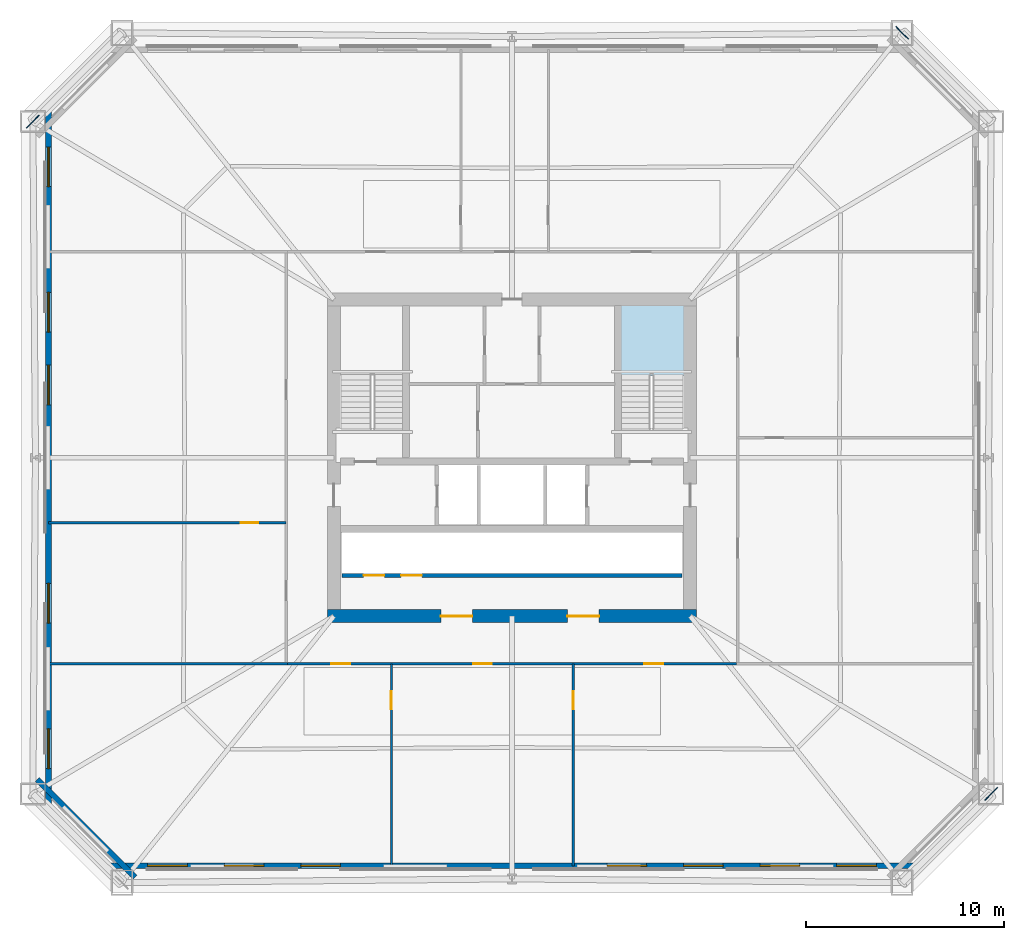
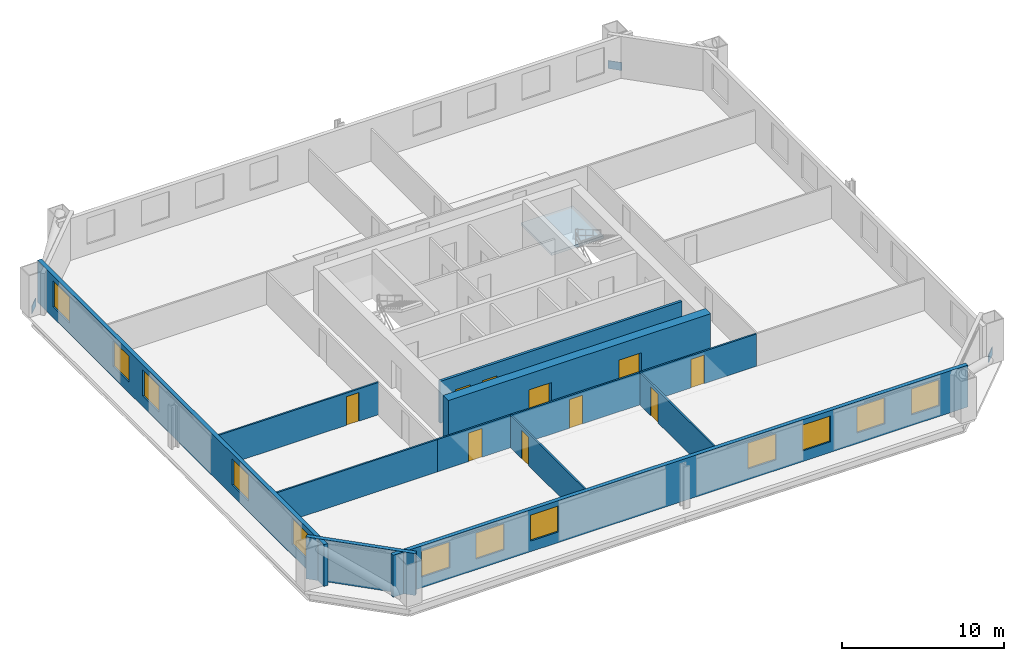
# One storey, part 2 of 7: 12 windows, 10 doors, 10 walls, 3 plates, 1 slab, 22 openings, 1 element without a shape of its own.
"""IFC4 building model written with IfcOpenShell, lengths in metres."""

import ifcopenshell
import ifcopenshell.guid

model = None  # the IFC model being written
_history = None  # IfcOwnerHistory: only IFC2X3 demands one
_inside = {}  # id of a spatial element -> (the spatial element, [elements in it])
_under = {}  # id of a project, library or spatial element -> (it, [spatial elements below it])
_declared = {}  # id of a project -> (the project, [libraries it declares])
_typed = {}  # id of a type object -> (the type object, [elements of that type])
_made_of = {}  # id of a material, layer set ... -> (it, [elements and type objects made of it])


def new_model(schema):
    """Start an empty IFC model of exactly this schema.

    Asked for "IFC4X3", IfcOpenShell would pick the latest addendum, in which some entities
    have other attributes; the version numbers below select the first issue.
    IFC2X3 requires an IfcOwnerHistory on every rooted entity: one is made here for all.
    """
    global model, _history
    if schema == "IFC4X3":
        model = ifcopenshell.file(schema_version=(4, 3, 0, 0))
    else:
        model = ifcopenshell.file(schema=schema)
    _inside.clear()
    _under.clear()
    _declared.clear()
    _typed.clear()
    _made_of.clear()
    _history = None
    if model.schema == "IFC2X3":
        org = make("IfcOrganization", Name="unknown")
        user = make(
            "IfcPersonAndOrganization",
            ThePerson=make("IfcPerson", FamilyName="unknown"),
            TheOrganization=org,
        )
        app = make(
            "IfcApplication",
            ApplicationDeveloper=org,
            Version="unknown",
            ApplicationFullName="unknown",
            ApplicationIdentifier="unknown",
        )
        _history = make(
            "IfcOwnerHistory",
            OwningUser=user,
            OwningApplication=app,
            ChangeAction="ADDED",
            CreationDate=0,
        )
    return model


def make(cls, **values):
    """One entity of the class cls with the attributes given. An attribute that is None is left unset."""
    return model.create_entity(
        cls, **{name: value for name, value in values.items() if value is not None}
    )


def rooted(cls, **values):
    """An entity with a GlobalId (a new one), such as an element, a storey or a relation."""
    return make(cls, GlobalId=ifcopenshell.guid.new(), OwnerHistory=_history, **values)


def si_unit(unit_type, name, prefix=None):
    """IfcSIUnit, for example si_unit("LENGTHUNIT", "METRE", prefix="MILLI")."""
    return make("IfcSIUnit", UnitType=unit_type, Prefix=prefix, Name=name)


def assignment(units):
    """IfcUnitAssignment: the units of a project."""
    return None if units is None else make("IfcUnitAssignment", Units=units)


def point(xyz):
    """IfcCartesianPoint."""
    return None if xyz is None else make("IfcCartesianPoint", Coordinates=xyz)


def direction(xyz):
    """IfcDirection."""
    return None if xyz is None else make("IfcDirection", DirectionRatios=xyz)


def frame(location, z_axis=None, x_axis=None):
    """IfcAxis2Placement3D, a coordinate frame: its origin and axes. An axis left out is left unset."""
    return make(
        "IfcAxis2Placement3D",
        Location=point(location),
        Axis=direction(z_axis),
        RefDirection=direction(x_axis),
    )


def frame_2d(location, x_axis=None):
    """IfcAxis2Placement2D, a coordinate frame in the plane: its origin and x axis."""
    return make(
        "IfcAxis2Placement2D", Location=point(location), RefDirection=direction(x_axis)
    )


def origin():
    """The frame at (0, 0, 0) with its axes left unset."""
    return frame((0.0, 0.0, 0.0))


def origin_2d():
    """The frame at (0, 0) in the plane with its x axis left unset."""
    return frame_2d((0.0, 0.0))


def place(relative_to, where):
    """IfcLocalPlacement: puts the frame where relative to a parent placement (None: the world)."""
    return make(
        "IfcLocalPlacement", PlacementRelTo=relative_to, RelativePlacement=where
    )


def context(
    kind, dimensions, precision=None, world=None, true_north=None, identifier=None
):
    """IfcGeometricRepresentationContext, for example the 3D "Model" context."""
    return make(
        "IfcGeometricRepresentationContext",
        ContextIdentifier=identifier,
        ContextType=kind,
        CoordinateSpaceDimension=dimensions,
        Precision=precision,
        WorldCoordinateSystem=world,
        TrueNorth=true_north,
    )


def subcontext(parent, identifier, kind, view, scale=None):
    """IfcGeometricRepresentationSubContext, for example "Body" below "Model"."""
    return make(
        "IfcGeometricRepresentationSubContext",
        ContextIdentifier=identifier,
        ContextType=kind,
        ParentContext=parent,
        TargetScale=scale,
        TargetView=view,
    )


def project(units=None, contexts=None):
    """IfcProject with its units and contexts."""
    return rooted(
        "IfcProject",
        Name="project",
        RepresentationContexts=contexts,
        UnitsInContext=assignment(units),
    )


def spatial(cls, under=None, at=None, **own):
    """A site, building, storey or space (cls), placed at a placement, below another one or the project."""
    s = rooted(cls, ObjectPlacement=at, **own)
    if under is not None:
        _under.setdefault(under.id(), (under, []))[1].append(s)
    return s


def polyline(points):
    """IfcPolyline through the points."""
    return make("IfcPolyline", Points=[point(p) for p in points])


def profile(cls, at=None, kind="AREA", **sizes):
    """A parametric profile (cls). Its sizes go by their IFC names, for example OverallWidth=200.0."""
    return make(cls, ProfileType=kind, Position=at, **sizes)


def rectangle(**sizes):
    """IfcRectangleProfileDef."""
    return profile("IfcRectangleProfileDef", **sizes)


def outline(outer, holes=None, kind="AREA"):
    """IfcArbitraryClosedProfileDef: a profile drawn as a closed curve; with holes, ...WithVoids."""
    if holes is None:
        return make("IfcArbitraryClosedProfileDef", ProfileType=kind, OuterCurve=outer)
    return make(
        "IfcArbitraryProfileDefWithVoids",
        ProfileType=kind,
        OuterCurve=outer,
        InnerCurves=holes,
    )


def extrude(swept, where, along, depth):
    """IfcExtrudedAreaSolid: the profile swept, set in the frame where, extruded along a direction by depth."""
    return make(
        "IfcExtrudedAreaSolid",
        SweptArea=swept,
        Position=where,
        ExtrudedDirection=direction(along),
        Depth=depth,
    )


def shape(context_of_items, identifier, shape_type, items):
    """IfcShapeRepresentation: the items that make up one representation, for example the "Body"."""
    return make(
        "IfcShapeRepresentation",
        ContextOfItems=context_of_items,
        RepresentationIdentifier=identifier,
        RepresentationType=shape_type,
        Items=items,
    )


def material(Name=None, Category=None):
    """IfcMaterial."""
    return make("IfcMaterial", Name=Name, Category=Category)


def layer(
    of_material, thickness, ventilated=None, Name=None, Category=None, Priority=None
):
    """IfcMaterialLayer: one layer of a wall or slab, of a material (None: an air gap)."""
    return make(
        "IfcMaterialLayer",
        Material=of_material,
        LayerThickness=thickness,
        IsVentilated=ventilated,
        Name=Name,
        Category=Category,
        Priority=Priority,
    )


def layer_set(layers, Name=None):
    """IfcMaterialLayerSet."""
    return make("IfcMaterialLayerSet", MaterialLayers=layers, LayerSetName=Name)


def made_of(thing, what):
    """Note that an element or type object is made of a material, layer set ...; save() writes the relation."""
    if what is not None:
        _made_of.setdefault(what.id(), (what, []))[1].append(thing)
    return thing


def type_object(cls, material=None, **own):
    """A type object (cls), such as IfcWallType, which elements share."""
    return made_of(rooted(cls, **own), material)


def element(
    cls,
    number,
    at=None,
    inside=None,
    cuts=None,
    type_object=None,
    material=None,
    context=None,
    identifier="Body",
    shape_type=None,
    held_by="IfcProductDefinitionShape",
    body=None,
    shapes=None,
    **own,
):
    """One element of the class cls, such as IfcWall. Its Tag is "e" and its number.

    at: its placement. inside: the storey or other place that contains it. cuts: it is an
    opening in that element (IfcRelVoidsElement). A single representation is given by context,
    identifier, shape_type and body (its items); several are given by shapes. held_by: the class
    of the entity that holds the representations. save() writes the other relations.
    """
    e = rooted(cls, Tag="e%d" % number, ObjectPlacement=at, **own)
    if body is not None:
        shapes = [shape(context, identifier, shape_type, body)]
    if shapes is not None:
        e.Representation = make(held_by, Representations=shapes)
    if inside is not None:
        _inside.setdefault(inside.id(), (inside, []))[1].append(e)
    if cuts is not None:
        rooted(
            "IfcRelVoidsElement", RelatingBuildingElement=cuts, RelatedOpeningElement=e
        )
    if type_object is not None:
        _typed.setdefault(type_object.id(), (type_object, []))[1].append(e)
    return made_of(e, material)


def fill(opening, filler):
    """IfcRelFillsElement: the door or window that sits in an opening."""
    return rooted(
        "IfcRelFillsElement",
        RelatingOpeningElement=opening,
        RelatedBuildingElement=filler,
    )


def aggregate(whole, parts):
    """IfcRelAggregates: a whole, such as a stair, and the parts it consists of."""
    return rooted("IfcRelAggregates", RelatingObject=whole, RelatedObjects=parts)


def save(model, path):
    """Write the relations noted so far, then the file.

    IfcRelAggregates (storeys below a building ...), IfcRelContainedInSpatialStructure (elements
    in a storey), IfcRelDefinesByType, IfcRelAssociatesMaterial and IfcRelDeclares: one each for
    every whole, place, type object, material and project.
    """
    for whole, parts in _under.values():
        aggregate(whole, parts)
    for where, things in _inside.values():
        rooted(
            "IfcRelContainedInSpatialStructure",
            RelatedElements=things,
            RelatingStructure=where,
        )
    for kind, things in _typed.values():
        rooted("IfcRelDefinesByType", RelatedObjects=things, RelatingType=kind)
    for what, things in _made_of.values():
        rooted("IfcRelAssociatesMaterial", RelatedObjects=things, RelatingMaterial=what)
    for by, libraries in _declared.values():
        rooted("IfcRelDeclares", RelatingContext=by, RelatedDefinitions=libraries)
    model.write(path)


model = new_model("IFC4")

# Units and contexts
model_context = context("Model", 3, precision=1e-05, world=origin(), true_north=direction((0.0, 1.0)))
body_context = subcontext(model_context, "Body", "Model", "MODEL_VIEW")
ifc_project = project(units=[si_unit("LENGTHUNIT", "METRE"), si_unit("AREAUNIT", "SQUARE_METRE"), si_unit("VOLUMEUNIT", "CUBIC_METRE"), si_unit("PLANEANGLEUNIT", "RADIAN"), si_unit("MASSUNIT", "GRAM", prefix="KILO")], contexts=[model_context])

# Site, building, storey
site_placement = place(None, origin())
site = spatial("IfcSite", under=ifc_project, at=site_placement, CompositionType="ELEMENT")
building_placement = place(site_placement, origin())
building = spatial("IfcBuilding", under=site, at=building_placement, Name="Caelvoria Tower", CompositionType="ELEMENT")
storey_placement = place(building_placement, frame((0.0, 0.0, 31.60009765625)))
storey = spatial("IfcBuildingStorey", under=building, at=storey_placement, Name="L07", CompositionType="ELEMENT", Elevation=31.60009765625)

# Plates
ifc_material_1 = material(Name="Structural Steel ASTM A572 Gr.50", Category="steel")
ifc_layer_1 = layer(ifc_material_1, 0.0400390625, Name="Structural Steel ASTM A572 Gr.50")
ifc_layer_set_1 = layer_set([ifc_layer_1], Name="Megaframe Node Gusset Plate 900x600x40 - Structural Steel ASTM A572 Gr.50")
plate_type = type_object("IfcPlateType", Name="Megaframe Node Gusset Plate 900x600x40", PredefinedType="USERDEFINED", material=ifc_layer_set_1)
for number, where, z_axis, x_axis, name in (
    (1, (70.210693359375, 15.013427734375, 0.019775390625), (0.0, 0.0, 1.0), (-0.708247433284, -0.705964286099, 0.0), "Chamfer Mega Brace Gusset L07 SE"),
    (2, (65.712890625, 53.469482421875, 0.019775390625), (0.0, 0.0, 1.0), (0.708247433284, -0.705964286099, 0.0), "Chamfer Mega Brace Gusset L07 NE"),
    (3, (21.789306640625, 48.986572265625, 0.019775390625), (0.0, 0.0, 1.0), (0.708247433284, 0.705964286099, 0.0), "Chamfer Mega Brace Gusset L07 NW"),
):
    element("IfcPlate", number, at=place(storey_placement, frame(where, z_axis=z_axis, x_axis=x_axis)), inside=storey, type_object=plate_type, Name=name, ObjectType="GUSSET_PLATE", PredefinedType="USERDEFINED", context=body_context, shape_type="SweptSolid", body=[
        extrude(rectangle(XDim=0.89990234375, YDim=0.0400390625, at=origin_2d()), origin(), (0.0, 0.0, 1.0), 0.60009765625),
    ])

# Stair, slab
ifc_material_2 = material(Name="Concrete C40/50", Category="concrete")
stair_type = type_object("IfcStairType", Name="Core Smokeproof Dogleg Stair Concrete C40/50", PredefinedType="HALF_TURN_STAIR", material=ifc_material_2)
stair_placement = place(storey_placement, origin())
stair = element("IfcStair", 4, at=stair_placement, inside=storey, type_object=stair_type, Name="ST-02 Smokeproof Exit Stair L07", PredefinedType="HALF_TURN_STAIR")
ifc_layer_2 = layer(ifc_material_2, 0.199951171875, Name="Concrete C40/50")
ifc_layer_set_2 = layer_set([ifc_layer_2], Name="Stair Half and Floor Landing Slab 200 Concrete C40/50 - Concrete C40/50")
slab_type = type_object("IfcSlabType", Name="Stair Half and Floor Landing Slab 200 Concrete C40/50", PredefinedType="LANDING", material=ifc_layer_set_2)
slab_placement = place(storey_placement, frame((0.0, 0.0, 1.599853515625)))
slab = element("IfcSlab", 5, at=slab_placement, type_object=slab_type, Name="ST-02 landing 2", PredefinedType="LANDING", context=body_context, shape_type="SweptSolid", body=[
    extrude(outline(polyline([(51.199951171875, 36.14990234375), (54.89990234375, 36.14990234375), (54.89990234375, 39.89990234375), (51.199951171875, 39.89990234375), (51.199951171875, 36.14990234375)])), origin(), (0.0, 0.0, 1.0), 0.199951171875),
])
aggregate(stair, [slab])

# Wall, openings, windows
ifc_material_3 = material(Name="Precast Concrete C40/50 with Bronze Cladding", Category="concrete")
ifc_layer_3 = layer(ifc_material_3, 0.280029296875, Name="Precast Concrete C40/50 with Bronze Cladding")
ifc_layer_set_3 = layer_set([ifc_layer_3], Name="Exterior Precast Concrete C40/50 Bronze-Clad Facade Wall 280 - Precast Concrete C40/50 with Bronze Cladding")
wall_type_1 = type_object("IfcWallType", Name="Exterior Precast Concrete C40/50 Bronze-Clad Facade Wall 280", PredefinedType="STANDARD", material=ifc_layer_set_3)
wall_1_placement = place(storey_placement, frame((25.56005859375, 11.3798828125, 0.0), z_axis=(0.0, 0.0, 1.0), x_axis=(1.0, 0.0, 0.0)))
wall_1 = element("IfcWall", 6, at=wall_1_placement, inside=storey, type_object=wall_type_1, Name="Exterior Facade Wall L07-E0", PredefinedType="STANDARD", context=body_context, shape_type="SweptSolid", body=[
    extrude(rectangle(XDim=40.8798828125, YDim=0.280029296875, at=frame_2d((20.43994140625, 0.0))), origin(), (0.0, 0.0, 1.0), 3.14990234375),
])
opening_1_placement = place(wall_1_placement, frame((2.033935546875, 0.0, 0.800048828125)))
opening_1 = element("IfcOpeningElement", 7, at=opening_1_placement, cuts=wall_1, Name="Opening WN-01", PredefinedType="OPENING", context=body_context, shape_type="SweptSolid", body=[
    extrude(rectangle(XDim=2.0, YDim=1.949951171875, at=frame_2d((1.0, 0.97509765625))), frame((0.0, 0.14990234375, 0.0), z_axis=(0.0, -1.0, 0.0), x_axis=(1.0, 0.0, 0.0)), (0.0, 0.0, 1.0), 0.300048828125),
])
opening_2_placement = place(wall_1_placement, frame((5.902099609375, 0.0, 0.800048828125)))
opening_2 = element("IfcOpeningElement", 8, at=opening_2_placement, cuts=wall_1, Name="Opening WN-01", PredefinedType="OPENING", context=body_context, shape_type="SweptSolid", body=[
    extrude(rectangle(XDim=2.0, YDim=1.949951171875, at=frame_2d((1.0, 0.97509765625))), frame((0.0, 0.14990234375, 0.0), z_axis=(0.0, -1.0, 0.0), x_axis=(1.0, 0.0, 0.0)), (0.0, 0.0, 1.0), 0.300048828125),
])
opening_3_placement = place(wall_1_placement, frame((9.77001953125, 0.0, 0.800048828125)))
opening_3 = element("IfcOpeningElement", 9, at=opening_3_placement, cuts=wall_1, Name="Opening WN-01", PredefinedType="OPENING", context=body_context, shape_type="SweptSolid", body=[
    extrude(rectangle(XDim=2.0, YDim=1.949951171875, at=frame_2d((1.0, 0.97509765625))), frame((0.0, 0.14990234375, 0.0), z_axis=(0.0, -1.0, 0.0), x_axis=(1.0, 0.0, 0.0)), (0.0, 0.0, 1.0), 0.300048828125),
])
opening_4_placement = place(wall_1_placement, frame((25.241943359375, 0.0, 0.800048828125)))
opening_4 = element("IfcOpeningElement", 10, at=opening_4_placement, cuts=wall_1, Name="Opening WN-01", PredefinedType="OPENING", context=body_context, shape_type="SweptSolid", body=[
    extrude(rectangle(XDim=2.0, YDim=1.949951171875, at=frame_2d((1.0, 0.97509765625))), frame((0.0, 0.14990234375, 0.0), z_axis=(0.0, -1.0, 0.0), x_axis=(1.0, 0.0, 0.0)), (0.0, 0.0, 1.0), 0.300048828125),
])
opening_5_placement = place(wall_1_placement, frame((29.110107421875, 0.0, 0.800048828125)))
opening_5 = element("IfcOpeningElement", 11, at=opening_5_placement, cuts=wall_1, Name="Opening WN-01", PredefinedType="OPENING", context=body_context, shape_type="SweptSolid", body=[
    extrude(rectangle(XDim=2.0, YDim=1.949951171875, at=frame_2d((1.0, 0.97509765625))), frame((0.0, 0.14990234375, 0.0), z_axis=(0.0, -1.0, 0.0), x_axis=(1.0, 0.0, 0.0)), (0.0, 0.0, 1.0), 0.300048828125),
])
opening_6_placement = place(wall_1_placement, frame((32.97802734375, 0.0, 0.800048828125)))
opening_6 = element("IfcOpeningElement", 12, at=opening_6_placement, cuts=wall_1, Name="Opening WN-01", PredefinedType="OPENING", context=body_context, shape_type="SweptSolid", body=[
    extrude(rectangle(XDim=2.0, YDim=1.949951171875, at=frame_2d((1.0, 0.97509765625))), frame((0.0, 0.14990234375, 0.0), z_axis=(0.0, -1.0, 0.0), x_axis=(1.0, 0.0, 0.0)), (0.0, 0.0, 1.0), 0.300048828125),
])
opening_7_placement = place(wall_1_placement, frame((36.845947265625, 0.0, 0.800048828125)))
opening_7 = element("IfcOpeningElement", 13, at=opening_7_placement, cuts=wall_1, Name="Opening WN-01", PredefinedType="OPENING", context=body_context, shape_type="SweptSolid", body=[
    extrude(rectangle(XDim=2.0, YDim=1.949951171875, at=frame_2d((1.0, 0.97509765625))), frame((0.0, 0.14990234375, 0.0), z_axis=(0.0, -1.0, 0.0), x_axis=(1.0, 0.0, 0.0)), (0.0, 0.0, 1.0), 0.300048828125),
])
ifc_material_4 = material(Name="Low-E Tinted Glass in Bronze Aluminium Frame", Category="aluminium")
window_type = type_object("IfcWindowType", Name="Tower Office Vision Window 2000x1950", PartitioningType="SINGLE_PANEL", PredefinedType="WINDOW", material=ifc_material_4)
window_1_placement = place(opening_1_placement, origin())
window_1 = element("IfcWindow", 14, at=window_1_placement, inside=storey, type_object=window_type, Name="Facade Window L07-E0-00", OverallHeight=1.949951171875, OverallWidth=2.0, PartitioningType="SINGLE_PANEL", PredefinedType="WINDOW", context=body_context, shape_type="SweptSolid", body=[
    extrude(rectangle(XDim=2.0, YDim=1.949951171875, at=frame_2d((1.0, 0.97509765625))), frame((0.0, 0.030029296875, 0.0), z_axis=(0.0, -1.0, 0.0), x_axis=(1.0, 0.0, 0.0)), (0.0, 0.0, 1.0), 0.06005859375),
])
fill(opening_1, window_1)
window_2_placement = place(opening_2_placement, origin())
window_2 = element("IfcWindow", 15, at=window_2_placement, inside=storey, type_object=window_type, Name="Facade Window L07-E0-01", OverallHeight=1.949951171875, OverallWidth=2.0, PartitioningType="SINGLE_PANEL", PredefinedType="WINDOW", context=body_context, shape_type="SweptSolid", body=[
    extrude(rectangle(XDim=2.0, YDim=1.949951171875, at=frame_2d((1.0, 0.97509765625))), frame((0.0, 0.030029296875, 0.0), z_axis=(0.0, -1.0, 0.0), x_axis=(1.0, 0.0, 0.0)), (0.0, 0.0, 1.0), 0.06005859375),
])
fill(opening_2, window_2)
window_3_placement = place(opening_3_placement, origin())
window_3 = element("IfcWindow", 16, at=window_3_placement, inside=storey, type_object=window_type, Name="Facade Window L07-E0-02", OverallHeight=1.949951171875, OverallWidth=2.0, PartitioningType="SINGLE_PANEL", PredefinedType="WINDOW", context=body_context, shape_type="SweptSolid", body=[
    extrude(rectangle(XDim=2.0, YDim=1.949951171875, at=frame_2d((1.0, 0.97509765625))), frame((0.0, 0.030029296875, 0.0), z_axis=(0.0, -1.0, 0.0), x_axis=(1.0, 0.0, 0.0)), (0.0, 0.0, 1.0), 0.06005859375),
])
fill(opening_3, window_3)
window_4_placement = place(opening_4_placement, origin())
window_4 = element("IfcWindow", 17, at=window_4_placement, inside=storey, type_object=window_type, Name="Facade Window L07-E0-06", OverallHeight=1.949951171875, OverallWidth=2.0, PartitioningType="SINGLE_PANEL", PredefinedType="WINDOW", context=body_context, shape_type="SweptSolid", body=[
    extrude(rectangle(XDim=2.0, YDim=1.949951171875, at=frame_2d((1.0, 0.97509765625))), frame((0.0, 0.030029296875, 0.0), z_axis=(0.0, -1.0, 0.0), x_axis=(1.0, 0.0, 0.0)), (0.0, 0.0, 1.0), 0.06005859375),
])
fill(opening_4, window_4)
window_5_placement = place(opening_5_placement, origin())
window_5 = element("IfcWindow", 18, at=window_5_placement, inside=storey, type_object=window_type, Name="Facade Window L07-E0-07", OverallHeight=1.949951171875, OverallWidth=2.0, PartitioningType="SINGLE_PANEL", PredefinedType="WINDOW", context=body_context, shape_type="SweptSolid", body=[
    extrude(rectangle(XDim=2.0, YDim=1.949951171875, at=frame_2d((1.0, 0.97509765625))), frame((0.0, 0.030029296875, 0.0), z_axis=(0.0, -1.0, 0.0), x_axis=(1.0, 0.0, 0.0)), (0.0, 0.0, 1.0), 0.06005859375),
])
fill(opening_5, window_5)
window_6_placement = place(opening_6_placement, origin())
window_6 = element("IfcWindow", 19, at=window_6_placement, inside=storey, type_object=window_type, Name="Facade Window L07-E0-08", OverallHeight=1.949951171875, OverallWidth=2.0, PartitioningType="SINGLE_PANEL", PredefinedType="WINDOW", context=body_context, shape_type="SweptSolid", body=[
    extrude(rectangle(XDim=2.0, YDim=1.949951171875, at=frame_2d((1.0, 0.97509765625))), frame((0.0, 0.030029296875, 0.0), z_axis=(0.0, -1.0, 0.0), x_axis=(1.0, 0.0, 0.0)), (0.0, 0.0, 1.0), 0.06005859375),
])
fill(opening_6, window_6)
window_7_placement = place(opening_7_placement, origin())
window_7 = element("IfcWindow", 20, at=window_7_placement, inside=storey, type_object=window_type, Name="Facade Window L07-E0-09", OverallHeight=1.949951171875, OverallWidth=2.0, PartitioningType="SINGLE_PANEL", PredefinedType="WINDOW", context=body_context, shape_type="SweptSolid", body=[
    extrude(rectangle(XDim=2.0, YDim=1.949951171875, at=frame_2d((1.0, 0.97509765625))), frame((0.0, 0.030029296875, 0.0), z_axis=(0.0, -1.0, 0.0), x_axis=(1.0, 0.0, 0.0)), (0.0, 0.0, 1.0), 0.06005859375),
])
fill(opening_7, window_7)

wall_2_placement = place(storey_placement, frame((22.580078125, 49.639892578125, 0.0), z_axis=(0.0, 0.0, 1.0), x_axis=(0.0, -1.0, 0.0)))
wall_2 = element("IfcWall", 21, at=wall_2_placement, inside=storey, type_object=wall_type_1, Name="Exterior Facade Wall L07-E6", PredefinedType="STANDARD", context=body_context, shape_type="SweptSolid", body=[
    extrude(rectangle(XDim=35.27978515625, YDim=0.280029296875, at=frame_2d((17.639892578125, 0.0))), origin(), (0.0, 0.0, 1.0), 3.14990234375),
])
opening_8_placement = place(wall_2_placement, frame((1.937744140625, 0.0, 0.800048828125)))
opening_8 = element("IfcOpeningElement", 22, at=opening_8_placement, cuts=wall_2, Name="Opening WN-01", PredefinedType="OPENING", context=body_context, shape_type="SweptSolid", body=[
    extrude(rectangle(XDim=2.0, YDim=1.949951171875, at=frame_2d((1.0, 0.97509765625))), frame((0.0, 0.14990234375, 0.0), z_axis=(0.0, -1.0, 0.0), x_axis=(1.0, 0.0, 0.0)), (0.0, 0.0, 1.0), 0.300048828125),
])
opening_9_placement = place(wall_2_placement, frame((9.288818359375, 0.0, 0.800048828125)))
opening_9 = element("IfcOpeningElement", 23, at=opening_9_placement, cuts=wall_2, Name="Opening WN-01", PredefinedType="OPENING", context=body_context, shape_type="SweptSolid", body=[
    extrude(rectangle(XDim=2.0, YDim=1.949951171875, at=frame_2d((1.0, 0.97509765625))), frame((0.0, 0.14990234375, 0.0), z_axis=(0.0, -1.0, 0.0), x_axis=(1.0, 0.0, 0.0)), (0.0, 0.0, 1.0), 0.300048828125),
])
opening_10_placement = place(wall_2_placement, frame((12.96435546875, 0.0, 0.800048828125)))
opening_10 = element("IfcOpeningElement", 24, at=opening_10_placement, cuts=wall_2, Name="Opening WN-01", PredefinedType="OPENING", context=body_context, shape_type="SweptSolid", body=[
    extrude(rectangle(XDim=2.0, YDim=1.949951171875, at=frame_2d((1.0, 0.97509765625))), frame((0.0, 0.14990234375, 0.0), z_axis=(0.0, -1.0, 0.0), x_axis=(1.0, 0.0, 0.0)), (0.0, 0.0, 1.0), 0.300048828125),
])
opening_11_placement = place(wall_2_placement, frame((23.9912109375, 0.0, 0.800048828125)))
opening_11 = element("IfcOpeningElement", 25, at=opening_11_placement, cuts=wall_2, Name="Opening WN-01", PredefinedType="OPENING", context=body_context, shape_type="SweptSolid", body=[
    extrude(rectangle(XDim=2.0, YDim=1.949951171875, at=frame_2d((1.0, 0.97509765625))), frame((0.0, 0.14990234375, 0.0), z_axis=(0.0, -1.0, 0.0), x_axis=(1.0, 0.0, 0.0)), (0.0, 0.0, 1.0), 0.300048828125),
])
opening_12_placement = place(wall_2_placement, frame((31.34228515625, 0.0, 0.800048828125)))
opening_12 = element("IfcOpeningElement", 26, at=opening_12_placement, cuts=wall_2, Name="Opening WN-01", PredefinedType="OPENING", context=body_context, shape_type="SweptSolid", body=[
    extrude(rectangle(XDim=2.0, YDim=1.949951171875, at=frame_2d((1.0, 0.97509765625))), frame((0.0, 0.14990234375, 0.0), z_axis=(0.0, -1.0, 0.0), x_axis=(1.0, 0.0, 0.0)), (0.0, 0.0, 1.0), 0.300048828125),
])
window_8_placement = place(opening_8_placement, origin())
window_8 = element("IfcWindow", 27, at=window_8_placement, inside=storey, type_object=window_type, Name="Facade Window L07-E6-00", OverallHeight=1.949951171875, OverallWidth=2.0, PartitioningType="SINGLE_PANEL", PredefinedType="WINDOW", context=body_context, shape_type="SweptSolid", body=[
    extrude(rectangle(XDim=2.0, YDim=1.949951171875, at=frame_2d((1.0, 0.97509765625))), frame((0.0, 0.030029296875, 0.0), z_axis=(0.0, -1.0, 0.0), x_axis=(1.0, 0.0, 0.0)), (0.0, 0.0, 1.0), 0.06005859375),
])
fill(opening_8, window_8)
window_9_placement = place(opening_9_placement, origin())
window_9 = element("IfcWindow", 28, at=window_9_placement, inside=storey, type_object=window_type, Name="Facade Window L07-E6-02", OverallHeight=1.949951171875, OverallWidth=2.0, PartitioningType="SINGLE_PANEL", PredefinedType="WINDOW", context=body_context, shape_type="SweptSolid", body=[
    extrude(rectangle(XDim=2.0, YDim=1.949951171875, at=frame_2d((1.0, 0.97509765625))), frame((0.0, 0.030029296875, 0.0), z_axis=(0.0, -1.0, 0.0), x_axis=(1.0, 0.0, 0.0)), (0.0, 0.0, 1.0), 0.06005859375),
])
fill(opening_9, window_9)
window_10_placement = place(opening_10_placement, origin())
window_10 = element("IfcWindow", 29, at=window_10_placement, inside=storey, type_object=window_type, Name="Facade Window L07-E6-03", OverallHeight=1.949951171875, OverallWidth=2.0, PartitioningType="SINGLE_PANEL", PredefinedType="WINDOW", context=body_context, shape_type="SweptSolid", body=[
    extrude(rectangle(XDim=2.0, YDim=1.949951171875, at=frame_2d((1.0, 0.97509765625))), frame((0.0, 0.030029296875, 0.0), z_axis=(0.0, -1.0, 0.0), x_axis=(1.0, 0.0, 0.0)), (0.0, 0.0, 1.0), 0.06005859375),
])
fill(opening_10, window_10)
window_11_placement = place(opening_11_placement, origin())
window_11 = element("IfcWindow", 30, at=window_11_placement, inside=storey, type_object=window_type, Name="Facade Window L07-E6-06", OverallHeight=1.949951171875, OverallWidth=2.0, PartitioningType="SINGLE_PANEL", PredefinedType="WINDOW", context=body_context, shape_type="SweptSolid", body=[
    extrude(rectangle(XDim=2.0, YDim=1.949951171875, at=frame_2d((1.0, 0.97509765625))), frame((0.0, 0.030029296875, 0.0), z_axis=(0.0, -1.0, 0.0), x_axis=(1.0, 0.0, 0.0)), (0.0, 0.0, 1.0), 0.06005859375),
])
fill(opening_11, window_11)
window_12_placement = place(opening_12_placement, origin())
window_12 = element("IfcWindow", 31, at=window_12_placement, inside=storey, type_object=window_type, Name="Facade Window L07-E6-08", OverallHeight=1.949951171875, OverallWidth=2.0, PartitioningType="SINGLE_PANEL", PredefinedType="WINDOW", context=body_context, shape_type="SweptSolid", body=[
    extrude(rectangle(XDim=2.0, YDim=1.949951171875, at=frame_2d((1.0, 0.97509765625))), frame((0.0, 0.030029296875, 0.0), z_axis=(0.0, -1.0, 0.0), x_axis=(1.0, 0.0, 0.0)), (0.0, 0.0, 1.0), 0.06005859375),
])
fill(opening_12, window_12)

# Wall
wall_3_placement = place(storey_placement, frame((22.006103515625, 15.74560546875, 0.0), z_axis=(0.0, 0.0, 1.0), x_axis=(0.707106781187, -0.707106781187, 0.0)))
element("IfcWall", 32, at=wall_3_placement, inside=storey, type_object=wall_type_1, Name="Exterior Facade Wall L07-E7", PredefinedType="STANDARD", context=body_context, shape_type="SweptSolid", body=[
    extrude(rectangle(XDim=6.9853515625, YDim=0.280029296875, at=frame_2d((3.49267578125, 0.0))), origin(), (0.0, 0.0, 1.0), 3.14990234375),
])

# Wall, openings, doors
ifc_material_5 = material(Name="Concrete Block and Fireboard Assembly", Category="concrete")
ifc_layer_4 = layer(ifc_material_5, 0.179931640625, Name="Concrete Block and Fireboard Assembly")
ifc_layer_set_4 = layer_set([ifc_layer_4], Name="Fire-Rated Hoistway Partition Wall 180 - Concrete Block and Fireboard Assembly")
wall_type_2 = type_object("IfcWallType", Name="Fire-Rated Hoistway Partition Wall 180", PredefinedType="PARTITIONING", material=ifc_layer_set_4)
wall_4_placement = place(storey_placement, frame((37.39990234375, 26.050048828125, 0.0), z_axis=(0.0, 0.0, 1.0), x_axis=(1.0, 0.0, 0.0)))
wall_4 = element("IfcWall", 33, at=wall_4_placement, inside=storey, type_object=wall_type_2, Name="Interior Partition IW-L07-LFRONT", PredefinedType="PARTITIONING", context=body_context, shape_type="SweptSolid", body=[
    extrude(rectangle(XDim=17.2001953125, YDim=0.179931640625, at=frame_2d((8.60009765625, 0.0))), origin(), (0.0, 0.0, 1.0), 3.14990234375),
])
opening_13_placement = place(wall_4_placement, frame((1.10009765625, 0.0, 0.0)))
opening_13 = element("IfcOpeningElement", 34, at=opening_13_placement, cuts=wall_4, Name="Opening LD-01", PredefinedType="OPENING", context=body_context, shape_type="SweptSolid", body=[
    extrude(rectangle(XDim=1.050048828125, YDim=2.14990234375, at=frame_2d((0.52490234375, 1.074951171875))), frame((0.0, 0.099853515625, 0.0), z_axis=(0.0, -1.0, 0.0), x_axis=(1.0, 0.0, 0.0)), (0.0, 0.0, 1.0), 0.199951171875),
])
opening_14_placement = place(wall_4_placement, frame((3.0, 0.0, 0.0)))
opening_14 = element("IfcOpeningElement", 35, at=opening_14_placement, cuts=wall_4, Name="Opening LD-01", PredefinedType="OPENING", context=body_context, shape_type="SweptSolid", body=[
    extrude(rectangle(XDim=1.050048828125, YDim=2.14990234375, at=frame_2d((0.52490234375, 1.074951171875))), frame((0.0, 0.099853515625, 0.0), z_axis=(0.0, -1.0, 0.0), x_axis=(1.0, 0.0, 0.0)), (0.0, 0.0, 1.0), 0.199951171875),
])
ifc_material_6 = material(Name="Brushed Bronze Stainless Sliding Landing Door", Category="aluminium")
door_type_1 = type_object("IfcDoorType", Name="Lift Landing Sliding Door 1100x2150", OperationType="NOTDEFINED", PredefinedType="DOOR", material=ifc_material_6)
door_1_placement = place(opening_13_placement, origin())
door_1 = element("IfcDoor", 36, at=door_1_placement, inside=storey, type_object=door_type_1, Name="Interior Door LD-L07-PL1", OperationType="SLIDING_TO_LEFT", OverallHeight=2.14990234375, OverallWidth=1.050048828125, PredefinedType="DOOR", context=body_context, shape_type="SweptSolid", body=[
    extrude(rectangle(XDim=1.050048828125, YDim=2.14990234375, at=frame_2d((0.52490234375, 1.074951171875))), frame((0.0, 0.02490234375, 0.0), z_axis=(0.0, -1.0, 0.0), x_axis=(1.0, 0.0, 0.0)), (0.0, 0.0, 1.0), 0.050048828125),
])
fill(opening_13, door_1)
door_2_placement = place(opening_14_placement, origin())
door_2 = element("IfcDoor", 37, at=door_2_placement, inside=storey, type_object=door_type_1, Name="Interior Door LD-L07-PL2", OperationType="SLIDING_TO_RIGHT", OverallHeight=2.14990234375, OverallWidth=1.050048828125, PredefinedType="DOOR", context=body_context, shape_type="SweptSolid", body=[
    extrude(rectangle(XDim=1.050048828125, YDim=2.14990234375, at=frame_2d((0.52490234375, 1.074951171875))), frame((0.0, 0.02490234375, 0.0), z_axis=(0.0, -1.0, 0.0), x_axis=(1.0, 0.0, 0.0)), (0.0, 0.0, 1.0), 0.050048828125),
])
fill(opening_14, door_2)

ifc_material_7 = material(Name="Concrete C60/75", Category="concrete")
ifc_layer_5 = layer(ifc_material_7, 0.64990234375, Name="Concrete C60/75")
ifc_layer_set_5 = layer_set([ifc_layer_5], Name="Lower Core Shear Wall 650 - Concrete C60/75")
wall_type_3 = type_object("IfcWallType", Name="Lower Core Shear Wall 650", PredefinedType="SHEAR", material=ifc_layer_set_5)
wall_5_placement = place(storey_placement, frame((36.675048828125, 24.0, 0.0), z_axis=(0.0, 0.0, 1.0), x_axis=(1.0, 0.0, 0.0)))
wall_5 = element("IfcWall", 38, at=wall_5_placement, inside=storey, type_object=wall_type_3, Name="Core Shear Wall L07 S", PredefinedType="SHEAR", context=body_context, shape_type="SweptSolid", body=[
    extrude(rectangle(XDim=18.64990234375, YDim=0.64990234375, at=frame_2d((9.324951171875, 0.0))), origin(), (0.0, 0.0, 1.0), 3.35986328125),
])
opening_15_placement = place(wall_5_placement, frame((5.72509765625, 0.0, 0.0)))
opening_15 = element("IfcOpeningElement", 39, at=opening_15_placement, cuts=wall_5, Name="Opening ID-08", PredefinedType="OPENING", context=body_context, shape_type="SweptSolid", body=[
    extrude(rectangle(XDim=1.60009765625, YDim=2.14990234375, at=frame_2d((0.800048828125, 1.074951171875))), frame((0.0, 0.3349609375, 0.0), z_axis=(0.0, -1.0, 0.0), x_axis=(1.0, 0.0, 0.0)), (0.0, 0.0, 1.0), 0.669921875),
])
opening_16_placement = place(wall_5_placement, frame((12.125, 0.0, 0.0)))
opening_16 = element("IfcOpeningElement", 40, at=opening_16_placement, cuts=wall_5, Name="Opening ID-08", PredefinedType="OPENING", context=body_context, shape_type="SweptSolid", body=[
    extrude(rectangle(XDim=1.60009765625, YDim=2.14990234375, at=frame_2d((0.800048828125, 1.074951171875))), frame((0.0, 0.3349609375, 0.0), z_axis=(0.0, -1.0, 0.0), x_axis=(1.0, 0.0, 0.0)), (0.0, 0.0, 1.0), 0.669921875),
])
ifc_material_8 = material(Name="Bronze-Framed Fire-Rated Glazed Double Door", Category="aluminium")
door_type_2 = type_object("IfcDoorType", Name="Double Lobby Glazed Door 1600x2200", OperationType="NOTDEFINED", PredefinedType="DOOR", material=ifc_material_8)
door_3_placement = place(opening_15_placement, origin())
door_3 = element("IfcDoor", 41, at=door_3_placement, inside=storey, type_object=door_type_2, Name="Core Door DR-L07-LLOB-S1", OperationType="DOUBLE_DOOR_SINGLE_SWING", OverallHeight=2.14990234375, OverallWidth=1.60009765625, PredefinedType="DOOR", context=body_context, shape_type="SweptSolid", body=[
    extrude(rectangle(XDim=1.60009765625, YDim=2.14990234375, at=frame_2d((0.800048828125, 1.074951171875))), frame((0.0, 0.02490234375, 0.0), z_axis=(0.0, -1.0, 0.0), x_axis=(1.0, 0.0, 0.0)), (0.0, 0.0, 1.0), 0.050048828125),
])
fill(opening_15, door_3)
door_4_placement = place(opening_16_placement, origin())
door_4 = element("IfcDoor", 42, at=door_4_placement, inside=storey, type_object=door_type_2, Name="Core Door DR-L07-LLOB-S2", OperationType="DOUBLE_DOOR_SINGLE_SWING", OverallHeight=2.14990234375, OverallWidth=1.60009765625, PredefinedType="DOOR", context=body_context, shape_type="SweptSolid", body=[
    extrude(rectangle(XDim=1.60009765625, YDim=2.14990234375, at=frame_2d((0.800048828125, 1.074951171875))), frame((0.0, 0.02490234375, 0.0), z_axis=(0.0, -1.0, 0.0), x_axis=(1.0, 0.0, 0.0)), (0.0, 0.0, 1.0), 0.050048828125),
])
fill(opening_16, door_4)

# Wall, opening, door
ifc_material_9 = material(Name="Acoustic Gypsum Board on Light-Gauge Stud", Category="gypsum")
ifc_layer_6 = layer(ifc_material_9, 0.1201171875, Name="Acoustic Gypsum Board on Light-Gauge Stud")
ifc_layer_set_6 = layer_set([ifc_layer_6], Name="Tenant Suite Acoustic Partition Wall 120 - Acoustic Gypsum Board on Light-Gauge Stud")
wall_type_4 = type_object("IfcWallType", Name="Tenant Suite Acoustic Partition Wall 120", PredefinedType="PARTITIONING", material=ifc_layer_set_6)
wall_6_placement = place(storey_placement, frame((39.90869140625, 21.590087890625, 0.0), z_axis=(0.0, 0.0, 1.0), x_axis=(0.0, -1.0, 0.0)))
wall_6 = element("IfcWall", 43, at=wall_6_placement, inside=storey, type_object=wall_type_4, Name="Interior Partition IW-L07-SD-00-0", PredefinedType="PARTITIONING", context=body_context, shape_type="SweptSolid", body=[
    extrude(rectangle(XDim=10.210205078125, YDim=0.1201171875, at=frame_2d((5.10498046875, 0.0))), origin(), (0.0, 0.0, 1.0), 2.429931640625),
])
opening_17_placement = place(wall_6_placement, frame((1.39990234375, 0.0, 0.0)))
opening_17 = element("IfcOpeningElement", 44, at=opening_17_placement, cuts=wall_6, Name="Opening ID-06", PredefinedType="OPENING", context=body_context, shape_type="SweptSolid", body=[
    extrude(rectangle(XDim=0.89990234375, YDim=2.14990234375, at=frame_2d((0.449951171875, 1.074951171875))), frame((0.0, 0.070068359375, 0.0), z_axis=(0.0, -1.0, 0.0), x_axis=(1.0, 0.0, 0.0)), (0.0, 0.0, 1.0), 0.14013671875),
])
ifc_material_10 = material(Name="Engineered Andean Oak Veneer Door", Category="wood")
door_type_3 = type_object("IfcDoorType", Name="Interior Timber Door 900x2150", OperationType="NOTDEFINED", PredefinedType="DOOR", material=ifc_material_10)
door_5_placement = place(opening_17_placement, origin())
door_5 = element("IfcDoor", 45, at=door_5_placement, inside=storey, type_object=door_type_3, Name="Interior Door DR-L07-SM-00-0", OperationType="SINGLE_SWING_RIGHT", OverallHeight=2.14990234375, OverallWidth=0.89990234375, PredefinedType="DOOR", context=body_context, shape_type="SweptSolid", body=[
    extrude(rectangle(XDim=0.89990234375, YDim=2.14990234375, at=frame_2d((0.449951171875, 1.074951171875))), frame((0.0, 0.02490234375, 0.0), z_axis=(0.0, -1.0, 0.0), x_axis=(1.0, 0.0, 0.0)), (0.0, 0.0, 1.0), 0.050048828125),
])
fill(opening_17, door_5)

wall_7_placement = place(storey_placement, frame((49.102294921875, 21.590087890625, 0.0), z_axis=(0.0, 0.0, 1.0), x_axis=(0.0, -1.0, 0.0)))
wall_7 = element("IfcWall", 46, at=wall_7_placement, inside=storey, type_object=wall_type_4, Name="Interior Partition IW-L07-SD-01-0", PredefinedType="PARTITIONING", context=body_context, shape_type="SweptSolid", body=[
    extrude(rectangle(XDim=10.210205078125, YDim=0.1201171875, at=frame_2d((5.10498046875, 0.0))), origin(), (0.0, 0.0, 1.0), 2.429931640625),
])
opening_18_placement = place(wall_7_placement, frame((1.39990234375, 0.0, 0.0)))
opening_18 = element("IfcOpeningElement", 47, at=opening_18_placement, cuts=wall_7, Name="Opening ID-06", PredefinedType="OPENING", context=body_context, shape_type="SweptSolid", body=[
    extrude(rectangle(XDim=0.89990234375, YDim=2.14990234375, at=frame_2d((0.449951171875, 1.074951171875))), frame((0.0, 0.070068359375, 0.0), z_axis=(0.0, -1.0, 0.0), x_axis=(1.0, 0.0, 0.0)), (0.0, 0.0, 1.0), 0.14013671875),
])
door_6_placement = place(opening_18_placement, origin())
door_6 = element("IfcDoor", 48, at=door_6_placement, inside=storey, type_object=door_type_3, Name="Interior Door DR-L07-SM-01-0", OperationType="SINGLE_SWING_LEFT", OverallHeight=2.14990234375, OverallWidth=0.89990234375, PredefinedType="DOOR", context=body_context, shape_type="SweptSolid", body=[
    extrude(rectangle(XDim=0.89990234375, YDim=2.14990234375, at=frame_2d((0.449951171875, 1.074951171875))), frame((0.0, 0.02490234375, 0.0), z_axis=(0.0, -1.0, 0.0), x_axis=(1.0, 0.0, 0.0)), (0.0, 0.0, 1.0), 0.050048828125),
])
fill(opening_18, door_6)

# Wall, openings, doors
wall_8_placement = place(storey_placement, frame((34.64990234375, 21.590087890625, 0.0), z_axis=(0.0, 0.0, 1.0), x_axis=(1.0, 0.0, 0.0)))
wall_8 = element("IfcWall", 49, at=wall_8_placement, inside=storey, type_object=wall_type_4, Name="Interior Partition IW-L07-SCW-0", PredefinedType="PARTITIONING", context=body_context, shape_type="SweptSolid", body=[
    extrude(rectangle(XDim=22.7001953125, YDim=0.1201171875, at=frame_2d((11.35009765625, 0.0))), origin(), (0.0, 0.0, 1.0), 2.429931640625),
])
opening_19_placement = place(wall_8_placement, frame((2.224365234375, 0.0, 0.0)))
opening_19 = element("IfcOpeningElement", 50, at=opening_19_placement, cuts=wall_8, Name="Opening ID-05", PredefinedType="OPENING", context=body_context, shape_type="SweptSolid", body=[
    extrude(rectangle(XDim=0.949951171875, YDim=2.14990234375, at=frame_2d((0.47509765625, 1.074951171875))), frame((0.0, 0.070068359375, 0.0), z_axis=(0.0, -1.0, 0.0), x_axis=(1.0, 0.0, 0.0)), (0.0, 0.0, 1.0), 0.14013671875),
])
opening_20_placement = place(wall_8_placement, frame((9.380615234375, 0.0, 0.0)))
opening_20 = element("IfcOpeningElement", 51, at=opening_20_placement, cuts=wall_8, Name="Opening ID-05", PredefinedType="OPENING", context=body_context, shape_type="SweptSolid", body=[
    extrude(rectangle(XDim=0.949951171875, YDim=2.14990234375, at=frame_2d((0.47509765625, 1.074951171875))), frame((0.0, 0.070068359375, 0.0), z_axis=(0.0, -1.0, 0.0), x_axis=(1.0, 0.0, 0.0)), (0.0, 0.0, 1.0), 0.14013671875),
])
opening_21_placement = place(wall_8_placement, frame((18.03125, 0.0, 0.0)))
opening_21 = element("IfcOpeningElement", 52, at=opening_21_placement, cuts=wall_8, Name="Opening ID-05", PredefinedType="OPENING", context=body_context, shape_type="SweptSolid", body=[
    extrude(rectangle(XDim=0.949951171875, YDim=2.14990234375, at=frame_2d((0.47509765625, 1.074951171875))), frame((0.0, 0.070068359375, 0.0), z_axis=(0.0, -1.0, 0.0), x_axis=(1.0, 0.0, 0.0)), (0.0, 0.0, 1.0), 0.14013671875),
])
door_type_4 = type_object("IfcDoorType", Name="Interior Timber Door 950x2150", OperationType="NOTDEFINED", PredefinedType="DOOR", material=ifc_material_10)
door_7_placement = place(opening_19_placement, origin())
door_7 = element("IfcDoor", 53, at=door_7_placement, inside=storey, type_object=door_type_4, Name="Interior Door DR-L07-SC-00-0", OperationType="SINGLE_SWING_RIGHT", OverallHeight=2.14990234375, OverallWidth=0.949951171875, PredefinedType="DOOR", context=body_context, shape_type="SweptSolid", body=[
    extrude(rectangle(XDim=0.949951171875, YDim=2.14990234375, at=frame_2d((0.47509765625, 1.074951171875))), frame((0.0, 0.02490234375, 0.0), z_axis=(0.0, -1.0, 0.0), x_axis=(1.0, 0.0, 0.0)), (0.0, 0.0, 1.0), 0.050048828125),
])
fill(opening_19, door_7)
door_8_placement = place(opening_20_placement, origin())
door_8 = element("IfcDoor", 54, at=door_8_placement, inside=storey, type_object=door_type_4, Name="Interior Door DR-L07-SC-01-0", OperationType="SINGLE_SWING_LEFT", OverallHeight=2.14990234375, OverallWidth=0.949951171875, PredefinedType="DOOR", context=body_context, shape_type="SweptSolid", body=[
    extrude(rectangle(XDim=0.949951171875, YDim=2.14990234375, at=frame_2d((0.47509765625, 1.074951171875))), frame((0.0, 0.02490234375, 0.0), z_axis=(0.0, -1.0, 0.0), x_axis=(1.0, 0.0, 0.0)), (0.0, 0.0, 1.0), 0.050048828125),
])
fill(opening_20, door_8)
door_9_placement = place(opening_21_placement, origin())
door_9 = element("IfcDoor", 55, at=door_9_placement, inside=storey, type_object=door_type_4, Name="Interior Door DR-L07-SC-02-0", OperationType="SINGLE_SWING_RIGHT", OverallHeight=2.14990234375, OverallWidth=0.949951171875, PredefinedType="DOOR", context=body_context, shape_type="SweptSolid", body=[
    extrude(rectangle(XDim=0.949951171875, YDim=2.14990234375, at=frame_2d((0.47509765625, 1.074951171875))), frame((0.0, 0.02490234375, 0.0), z_axis=(0.0, -1.0, 0.0), x_axis=(1.0, 0.0, 0.0)), (0.0, 0.0, 1.0), 0.050048828125),
])
fill(opening_21, door_9)

# Wall, opening, door
wall_9_placement = place(storey_placement, frame((34.590087890625, 28.722412109375, 0.0), z_axis=(0.0, 0.0, 1.0), x_axis=(-1.0, 0.0, 0.0)))
wall_9 = element("IfcWall", 56, at=wall_9_placement, inside=storey, type_object=wall_type_4, Name="Interior Partition IW-L07-WD-00-0", PredefinedType="PARTITIONING", context=body_context, shape_type="SweptSolid", body=[
    extrude(rectangle(XDim=12.010009765625, YDim=0.1201171875, at=frame_2d((6.0048828125, 0.0))), origin(), (0.0, 0.0, 1.0), 2.429931640625),
])
opening_22_placement = place(wall_9_placement, frame((1.39990234375, 0.0, 0.0)))
opening_22 = element("IfcOpeningElement", 57, at=opening_22_placement, cuts=wall_9, Name="Opening ID-06", PredefinedType="OPENING", context=body_context, shape_type="SweptSolid", body=[
    extrude(rectangle(XDim=0.89990234375, YDim=2.14990234375, at=frame_2d((0.449951171875, 1.074951171875))), frame((0.0, 0.070068359375, 0.0), z_axis=(0.0, -1.0, 0.0), x_axis=(1.0, 0.0, 0.0)), (0.0, 0.0, 1.0), 0.14013671875),
])
door_10_placement = place(opening_22_placement, origin())
door_10 = element("IfcDoor", 58, at=door_10_placement, inside=storey, type_object=door_type_3, Name="Interior Door DR-L07-WM-00-0", OperationType="SINGLE_SWING_RIGHT", OverallHeight=2.14990234375, OverallWidth=0.89990234375, PredefinedType="DOOR", context=body_context, shape_type="SweptSolid", body=[
    extrude(rectangle(XDim=0.89990234375, YDim=2.14990234375, at=frame_2d((0.449951171875, 1.074951171875))), frame((0.0, 0.02490234375, 0.0), z_axis=(0.0, -1.0, 0.0), x_axis=(1.0, 0.0, 0.0)), (0.0, 0.0, 1.0), 0.050048828125),
])
fill(opening_22, door_10)

# Wall
wall_10_placement = place(storey_placement, frame((34.64990234375, 21.590087890625, 0.0), z_axis=(0.0, 0.0, 1.0), x_axis=(-1.0, 0.0, 0.0)))
element("IfcWall", 59, at=wall_10_placement, inside=storey, type_object=wall_type_4, Name="Interior Partition IW-L07-BSW-0", PredefinedType="PARTITIONING", context=body_context, shape_type="SweptSolid", body=[
    extrude(rectangle(XDim=12.06982421875, YDim=0.1201171875, at=frame_2d((6.034912109375, 0.0))), origin(), (0.0, 0.0, 1.0), 2.429931640625),
])

save(model, "model.ifc")
